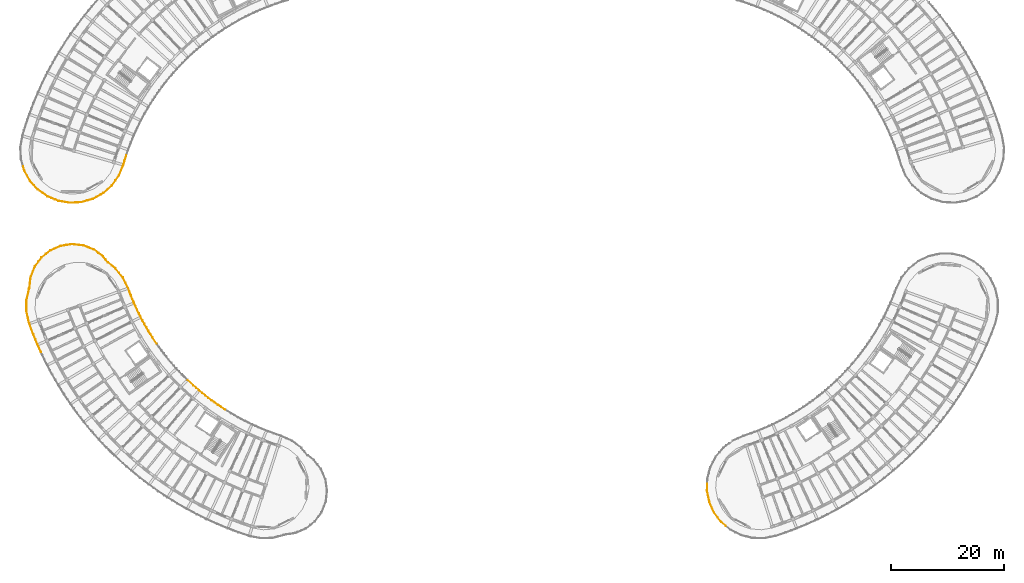
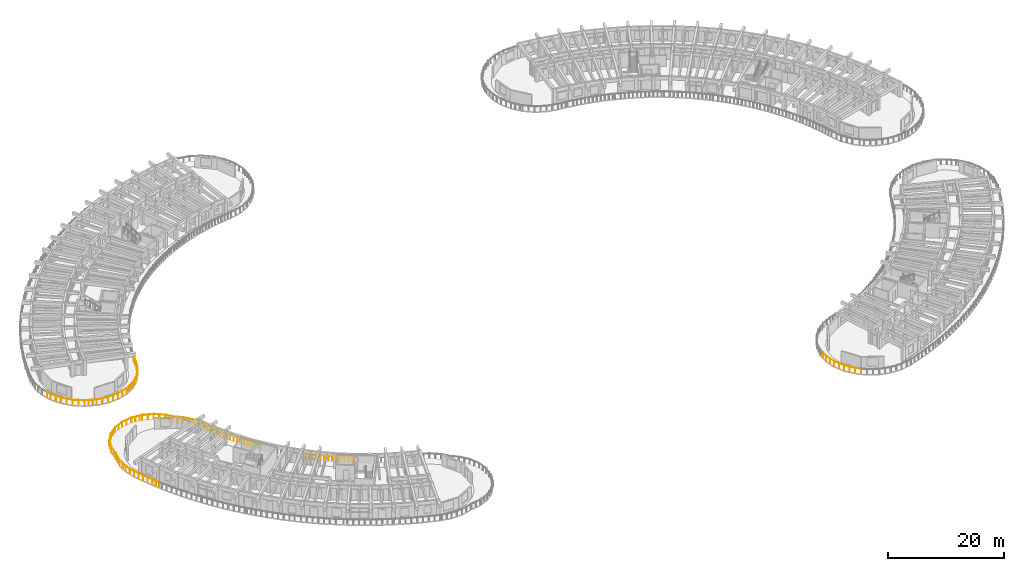
# One storey, part 64 of 78: 11 railings.
"""IFC4 building model written with IfcOpenShell, lengths in metres."""

from ifc_helpers import new_model, si_unit, direction, frame, origin, origin_2d, place, context, subcontext, project, spatial, circle, extrude, material, type_object, element, save


model = new_model("IFC4")

# Units and contexts
model_context = context("Model", 3, precision=1e-05, world=origin(), true_north=direction((0.0, 1.0)))
body_context = subcontext(model_context, "Body", "Model", "MODEL_VIEW")
ifc_project = project(units=[si_unit("LENGTHUNIT", "METRE"), si_unit("AREAUNIT", "SQUARE_METRE"), si_unit("VOLUMEUNIT", "CUBIC_METRE"), si_unit("PLANEANGLEUNIT", "RADIAN"), si_unit("MASSUNIT", "GRAM", prefix="KILO")], contexts=[model_context])

# Site, building, storey
site_placement = place(None, origin())
site = spatial("IfcSite", under=ifc_project, at=site_placement, CompositionType="ELEMENT")
building_placement = place(site_placement, origin())
building = spatial("IfcBuilding", under=site, at=building_placement, Name="Tanwirah Colonnade Gardens", CompositionType="ELEMENT")
storey_placement = place(building_placement, frame((0.0, 0.0, 22.280029296875)))
storey = spatial("IfcBuildingStorey", under=building, at=storey_placement, Name="L06", CompositionType="ELEMENT", Elevation=22.280029296875)

# Railings
ifc_material = material(Name="Precast concrete C40/50", Category="concrete")
railing_type_1 = type_object("IfcRailingType", Name="BAL-EXT110", PredefinedType="BALUSTRADE", material=ifc_material)
railing_1_placement = place(storey_placement, frame((21.24755859375, 54.628173828125, 0.0)))
element("IfcRailing", 1, at=railing_1_placement, inside=storey, type_object=railing_type_1, Name="Block C L06 Balcony Ribbon Balustrade 1", PredefinedType="BALUSTRADE", context=body_context, shape_type="SweptSolid", body=[
    extrude(circle(Radius=0.02392578125, at=origin_2d()), frame((0.024658203125, -0.019287109375, 1.076171875), z_axis=(0.786881919945, -0.617103592652, 0.0), x_axis=(0.617103592652, 0.786881919945, 0.0)), (0.0, 0.0, 1.0), 1.650146484375),
    extrude(circle(Radius=0.02392578125, at=origin_2d()), frame((1.367431640625, -1.0810546875, 1.076171875), z_axis=(0.629803866287, -0.776754201798, 0.0), x_axis=(0.776754201798, 0.629803866287, 0.0)), (0.0, 0.0, 1.0), 2.024169921875),
    extrude(circle(Radius=0.02392578125, at=origin_2d()), frame((2.675537109375, -2.705810546875, 1.076171875), z_axis=(0.441228765944, -0.897394660171, 0.0), x_axis=(0.897394660171, 0.441228765944, 0.0)), (0.0, 0.0, 1.0), 2.029541015625),
    extrude(circle(Radius=0.02392578125, at=origin_2d()), frame((3.595947265625, -4.58447265625, 1.076171875), z_axis=(0.353181976467, -0.93555464378, 0.0), x_axis=(0.93555464378, 0.353181976467, 0.0)), (0.0, 0.0, 1.0), 1.32763671875),
    extrude(circle(Radius=0.02392578125, at=origin_2d()), frame((4.0888671875, -5.886962890625, 1.076171875), z_axis=(0.383716976945, -0.923450746713, 0.0), x_axis=(0.923450746713, 0.383716976945, 0.0)), (0.0, 0.0, 1.0), 1.1533203125),
    extrude(circle(Radius=0.02099609375, at=origin_2d()), origin(), (0.0, 0.0, 1.0), 1.049072265625),
    extrude(circle(Radius=0.02099609375, at=origin_2d()), frame((0.673828125, -0.5283203125, 0.0)), (0.0, 0.0, 1.0), 1.049072265625),
    extrude(circle(Radius=0.02099609375, at=origin_2d()), frame((1.34765625, -1.056884765625, 0.0)), (0.0, 0.0, 1.0), 1.049072265625),
    extrude(circle(Radius=0.02099609375, at=origin_2d()), frame((2.0048828125, -1.8671875, 0.0)), (0.0, 0.0, 1.0), 1.049072265625),
    extrude(circle(Radius=0.02099609375, at=origin_2d()), frame((2.661865234375, -2.677734375, 0.0)), (0.0, 0.0, 1.0), 1.049072265625),
    extrude(circle(Radius=0.02099609375, at=origin_2d()), frame((3.12353515625, -3.616455078125, 0.0)), (0.0, 0.0, 1.0), 1.049072265625),
    extrude(circle(Radius=0.02099609375, at=origin_2d()), frame((3.5849609375, -4.55517578125, 0.0)), (0.0, 0.0, 1.0), 1.049072265625),
    extrude(circle(Radius=0.02099609375, at=origin_2d()), frame((3.83056640625, -5.20556640625, 0.0)), (0.0, 0.0, 1.0), 1.049072265625),
    extrude(circle(Radius=0.02099609375, at=origin_2d()), frame((4.075927734375, -5.855712890625, 0.0)), (0.0, 0.0, 1.0), 1.049072265625),
    extrude(circle(Radius=0.02099609375, at=origin_2d()), frame((4.54345703125, -6.98095703125, 0.0)), (0.0, 0.0, 1.0), 1.049072265625),
])
railing_2_placement = place(storey_placement, frame((25.791015625, 47.647216796875, 0.0)))
element("IfcRailing", 2, at=railing_2_placement, inside=storey, type_object=railing_type_1, Name="Block C L06 Balcony Ribbon Balustrade 2", PredefinedType="BALUSTRADE", context=body_context, shape_type="SweptSolid", body=[
    extrude(circle(Radius=0.02392578125, at=origin_2d()), frame((0.011962890625, -0.02880859375, 1.076171875), z_axis=(0.383642282702, -0.923481780504, 0.0), x_axis=(0.923481780504, 0.383642282702, 0.0)), (0.0, 0.0, 1.0), 0.11572265625),
    extrude(circle(Radius=0.02392578125, at=origin_2d()), frame((0.082275390625, -0.195556640625, 1.076171875), z_axis=(0.413697373423, -0.91041445684, 0.0), x_axis=(0.91041445684, 0.413697373423, 0.0)), (0.0, 0.0, 1.0), 1.331298828125),
    extrude(circle(Radius=0.02392578125, at=origin_2d()), frame((0.6611328125, -1.466552734375, 1.076171875), z_axis=(0.443286097627, -0.896380184771, 0.0), x_axis=(0.896380184771, 0.443286097627, 0.0)), (0.0, 0.0, 1.0), 1.33154296875),
    extrude(circle(Radius=0.02392578125, at=origin_2d()), frame((1.281005859375, -2.718017578125, 1.076171875), z_axis=(0.472323466806, -0.881425290484, 0.0), x_axis=(0.881425290484, 0.472323466806, 0.0)), (0.0, 0.0, 1.0), 1.33154296875),
    extrude(circle(Radius=0.02392578125, at=origin_2d()), frame((1.941650390625, -3.948486328125, 1.076171875), z_axis=(0.501015561301, -0.865438274711, 0.0), x_axis=(0.865438274711, 0.501015561301, 0.0)), (0.0, 0.0, 1.0), 1.33154296875),
    extrude(circle(Radius=0.02392578125, at=origin_2d()), frame((2.642333984375, -5.15673828125, 1.076171875), z_axis=(0.529022666758, -0.848607693847, 0.0), x_axis=(0.848607693847, 0.529022666758, 0.0)), (0.0, 0.0, 1.0), 1.33154296875),
    extrude(circle(Radius=0.02392578125, at=origin_2d()), frame((3.3818359375, -6.34130859375, 1.076171875), z_axis=(0.556512446997, -0.830839272265, 0.0), x_axis=(0.830839272265, 0.556512446997, 0.0)), (0.0, 0.0, 1.0), 1.273193359375),
    extrude(circle(Radius=0.02099609375, at=origin_2d()), origin(), (0.0, 0.0, 1.0), 1.049072265625),
    extrude(circle(Radius=0.02099609375, at=origin_2d()), frame((0.068359375, -0.16455078125, 0.0)), (0.0, 0.0, 1.0), 1.049072265625),
    extrude(circle(Radius=0.02099609375, at=origin_2d()), frame((0.357666015625, -0.801513671875, 0.0)), (0.0, 0.0, 1.0), 1.049072265625),
    extrude(circle(Radius=0.02099609375, at=origin_2d()), frame((0.64599609375, -1.43603515625, 0.0)), (0.0, 0.0, 1.0), 1.049072265625),
    extrude(circle(Radius=0.02099609375, at=origin_2d()), frame((0.9560546875, -2.063232421875, 0.0)), (0.0, 0.0, 1.0), 1.049072265625),
    extrude(circle(Radius=0.02099609375, at=origin_2d()), frame((1.26513671875, -2.68798828125, 0.0)), (0.0, 0.0, 1.0), 1.049072265625),
    extrude(circle(Radius=0.02099609375, at=origin_2d()), frame((1.595703125, -3.3046875, 0.0)), (0.0, 0.0, 1.0), 1.049072265625),
    extrude(circle(Radius=0.02099609375, at=origin_2d()), frame((1.9248046875, -3.919189453125, 0.0)), (0.0, 0.0, 1.0), 1.049072265625),
    extrude(circle(Radius=0.02099609375, at=origin_2d()), frame((2.275390625, -4.524658203125, 0.0)), (0.0, 0.0, 1.0), 1.049072265625),
    extrude(circle(Radius=0.02099609375, at=origin_2d()), frame((2.62451171875, -5.1279296875, 0.0)), (0.0, 0.0, 1.0), 1.049072265625),
    extrude(circle(Radius=0.02099609375, at=origin_2d()), frame((2.99462890625, -5.7216796875, 0.0)), (0.0, 0.0, 1.0), 1.049072265625),
    extrude(circle(Radius=0.02099609375, at=origin_2d()), frame((3.36328125, -6.313232421875, 0.0)), (0.0, 0.0, 1.0), 1.049072265625),
    extrude(circle(Radius=0.02099609375, at=origin_2d()), frame((4.10791015625, -7.42529296875, 0.0)), (0.0, 0.0, 1.0), 1.049072265625),
])
railing_3_placement = place(storey_placement, frame((35.396240234375, 33.757080078125, 0.0)))
element("IfcRailing", 3, at=railing_3_placement, inside=storey, type_object=railing_type_1, Name="Block C L06 Balcony Ribbon Balustrade 4", PredefinedType="BALUSTRADE", context=body_context, shape_type="SweptSolid", body=[
    extrude(circle(Radius=0.02392578125, at=origin_2d()), frame((0.02294921875, -0.021240234375, 1.076171875), z_axis=(0.730665802401, -0.682735296585, 0.0), x_axis=(0.682735296585, 0.730665802401, 0.0)), (0.0, 0.0, 1.0), 1.27197265625),
    extrude(circle(Radius=0.02392578125, at=origin_2d()), frame((1.00048828125, -0.93359375, 1.076171875), z_axis=(0.752565845379, -0.658517006894, 0.0), x_axis=(0.658517006894, 0.752565845379, 0.0)), (0.0, 0.0, 1.0), 1.33154296875),
    extrude(circle(Radius=0.02392578125, at=origin_2d()), frame((2.05224609375, -1.8525390625, 1.076171875), z_axis=(0.773762182392, -0.633476191424, 0.0), x_axis=(0.633476191424, 0.773762182392, 0.0)), (0.0, 0.0, 1.0), 1.33154296875),
    extrude(circle(Radius=0.02392578125, at=origin_2d()), frame((3.1337890625, -2.736572265625, 1.076171875), z_axis=(0.793969886309, -0.607957087001, 0.0), x_axis=(0.607957087001, 0.793969886309, 0.0)), (0.0, 0.0, 1.0), 1.331298828125),
    extrude(circle(Radius=0.02392578125, at=origin_2d()), frame((4.2431640625, -3.58447265625, 1.076171875), z_axis=(0.813473063063, -0.581602592558, 0.0), x_axis=(0.581602592558, 0.813473063063, 0.0)), (0.0, 0.0, 1.0), 1.33154296875),
    extrude(circle(Radius=0.02392578125, at=origin_2d()), frame((5.380126953125, -4.39599609375, 1.076171875), z_axis=(0.832077237554, -0.554659779274, 0.0), x_axis=(0.554659779274, 0.832077237554, 0.0)), (0.0, 0.0, 1.0), 1.33154296875),
    extrude(circle(Radius=0.02392578125, at=origin_2d()), frame((6.542724609375, -5.169921875, 1.076171875), z_axis=(0.84959815762, -0.52743053625, 0.0), x_axis=(0.52743053625, 0.84959815762, 0.0)), (0.0, 0.0, 1.0), 0.1171875),
    extrude(circle(Radius=0.02099609375, at=origin_2d()), origin(), (0.0, 0.0, 1.0), 1.049072265625),
    extrude(circle(Radius=0.02099609375, at=origin_2d()), frame((0.97509765625, -0.9111328125, 0.0)), (0.0, 0.0, 1.0), 1.049072265625),
    extrude(circle(Radius=0.02099609375, at=origin_2d()), frame((1.50146484375, -1.3720703125, 0.0)), (0.0, 0.0, 1.0), 1.049072265625),
    extrude(circle(Radius=0.02099609375, at=origin_2d()), frame((2.026123046875, -1.8310546875, 0.0)), (0.0, 0.0, 1.0), 1.049072265625),
    extrude(circle(Radius=0.02099609375, at=origin_2d()), frame((2.5673828125, -2.2744140625, 0.0)), (0.0, 0.0, 1.0), 1.049072265625),
    extrude(circle(Radius=0.02099609375, at=origin_2d()), frame((3.106689453125, -2.7158203125, 0.0)), (0.0, 0.0, 1.0), 1.049072265625),
    extrude(circle(Radius=0.02099609375, at=origin_2d()), frame((3.662109375, -3.14111328125, 0.0)), (0.0, 0.0, 1.0), 1.049072265625),
    extrude(circle(Radius=0.02099609375, at=origin_2d()), frame((4.215576171875, -3.56494140625, 0.0)), (0.0, 0.0, 1.0), 1.049072265625),
    extrude(circle(Radius=0.02099609375, at=origin_2d()), frame((4.78466796875, -3.9716796875, 0.0)), (0.0, 0.0, 1.0), 1.049072265625),
    extrude(circle(Radius=0.02099609375, at=origin_2d()), frame((5.351806640625, -4.377197265625, 0.0)), (0.0, 0.0, 1.0), 1.049072265625),
    extrude(circle(Radius=0.02099609375, at=origin_2d()), frame((5.93408203125, -4.76513671875, 0.0)), (0.0, 0.0, 1.0), 1.049072265625),
    extrude(circle(Radius=0.02099609375, at=origin_2d()), frame((6.513916015625, -5.15185546875, 0.0)), (0.0, 0.0, 1.0), 1.049072265625),
    extrude(circle(Radius=0.02099609375, at=origin_2d()), frame((6.668701171875, -5.248046875, 0.0)), (0.0, 0.0, 1.0), 1.049072265625),
])
railing_4_placement = place(storey_placement, frame((9.36767578125, 38.724609375, 0.0)))
element("IfcRailing", 4, at=railing_4_placement, inside=storey, type_object=railing_type_1, Name="Block C L06 Balcony Ribbon Balustrade 16", PredefinedType="BALUSTRADE", context=body_context, shape_type="SweptSolid", body=[
    extrude(circle(Radius=0.02392578125, at=origin_2d()), frame((-0.012939453125, 0.028564453125, 1.076171875), z_axis=(-0.413739713749, 0.910395215973, 0.0), x_axis=(-0.910395215973, -0.413739713749, 0.0)), (0.0, 0.0, 1.0), 1.39208984375),
    extrude(circle(Radius=0.02392578125, at=origin_2d()), frame((-0.61376953125, 1.35302734375, 1.076171875), z_axis=(-0.383777149523, 0.923425741196, 0.0), x_axis=(-0.923425741196, -0.383777149523, 0.0)), (0.0, 0.0, 1.0), 1.94384765625),
    extrude(circle(Radius=0.02392578125, at=origin_2d()), frame((-1.3828125, 3.206298828125, 1.076171875), z_axis=(-0.353246485445, 0.935530288404, 0.0), x_axis=(-0.935530288404, -0.353246485445, 0.0)), (0.0, 0.0, 1.0), 1.9404296875),
    extrude(circle(Radius=0.02392578125, at=origin_2d()), frame((-2.086669921875, 5.081298828125, 1.076171875), z_axis=(-0.230399457167, 0.973096136123, 0.0), x_axis=(-0.973096136123, -0.230399457167, 0.0)), (0.0, 0.0, 1.0), 2.028076171875),
    extrude(circle(Radius=0.02392578125, at=origin_2d()), frame((-2.561279296875, 7.116455078125, 1.076171875), z_axis=(-0.00800387478, 0.999967968481, 0.0), x_axis=(-0.999967968481, -0.00800387478, 0.0)), (0.0, 0.0, 1.0), 0.883056640625),
    extrude(circle(Radius=0.02099609375, at=origin_2d()), origin(), (0.0, 0.0, 1.0), 1.049072265625),
    extrude(circle(Radius=0.02099609375, at=origin_2d()), frame((-0.30078125, 0.662109375, 0.0)), (0.0, 0.0, 1.0), 1.049072265625),
    extrude(circle(Radius=0.02099609375, at=origin_2d()), frame((-0.601806640625, 1.32421875, 0.0)), (0.0, 0.0, 1.0), 1.049072265625),
    extrude(circle(Radius=0.02099609375, at=origin_2d()), frame((-0.98681640625, 2.25048828125, 0.0)), (0.0, 0.0, 1.0), 1.049072265625),
    extrude(circle(Radius=0.02099609375, at=origin_2d()), frame((-1.371826171875, 3.177001953125, 0.0)), (0.0, 0.0, 1.0), 1.049072265625),
    extrude(circle(Radius=0.02099609375, at=origin_2d()), frame((-1.7255859375, 4.11376953125, 0.0)), (0.0, 0.0, 1.0), 1.049072265625),
    extrude(circle(Radius=0.02099609375, at=origin_2d()), frame((-2.079345703125, 5.05078125, 0.0)), (0.0, 0.0, 1.0), 1.049072265625),
    extrude(circle(Radius=0.02099609375, at=origin_2d()), frame((-2.3203125, 6.06787109375, 0.0)), (0.0, 0.0, 1.0), 1.049072265625),
    extrude(circle(Radius=0.02099609375, at=origin_2d()), frame((-2.56103515625, 7.085205078125, 0.0)), (0.0, 0.0, 1.0), 1.049072265625),
    extrude(circle(Radius=0.02099609375, at=origin_2d()), frame((-2.568603515625, 8.03076171875, 0.0)), (0.0, 0.0, 1.0), 1.049072265625),
])
railing_5_placement = place(storey_placement, frame((6.799072265625, 46.75537109375, 0.0)))
element("IfcRailing", 5, at=railing_5_placement, inside=storey, type_object=railing_type_1, Name="Block C L06 Balcony Ribbon Balustrade 17", PredefinedType="BALUSTRADE", context=body_context, shape_type="SweptSolid", body=[
    extrude(circle(Radius=0.02392578125, at=origin_2d()), frame((-0.000244140625, 0.03125, 1.076171875), z_axis=(-0.00812807374, 0.999966966663, 0.0), x_axis=(-0.999966966663, -0.00812807374, 0.0)), (0.0, 0.0, 1.0), 1.078857421875),
    extrude(circle(Radius=0.02392578125, at=origin_2d()), frame((-0.002685546875, 1.171875, 1.076171875), z_axis=(0.214663162135, 0.976688142051, 0.0), x_axis=(-0.976688142051, 0.214663162135, 0.0)), (0.0, 0.0, 1.0), 2.0244140625),
    extrude(circle(Radius=0.02392578125, at=origin_2d()), frame((0.4521484375, 3.2080078125, 1.076171875), z_axis=(0.425885060261, 0.904777273945, 0.0), x_axis=(-0.904777273945, 0.425885060261, 0.0)), (0.0, 0.0, 1.0), 0.071044921875),
    extrude(circle(Radius=0.02392578125, at=origin_2d()), frame((0.50634765625, 3.3564453125, 1.076171875), z_axis=(0.113238424528, 0.993567843285, 0.0), x_axis=(-0.993567843285, 0.113238424528, 0.0)), (0.0, 0.0, 1.0), 1.90380859375),
    extrude(circle(Radius=0.02392578125, at=origin_2d()), frame((0.73681640625, 5.30810546875, 1.076171875), z_axis=(0.366518161649, 0.93041089696, 0.0), x_axis=(-0.93041089696, 0.366518161649, 0.0)), (0.0, 0.0, 1.0), 1.952392578125),
    extrude(circle(Radius=0.02392578125, at=origin_2d()), frame((1.482421875, 7.178955078125, 1.076171875), z_axis=(0.594840215113, 0.803843964016, 0.0), x_axis=(-0.803843964016, 0.594840215113, 0.0)), (0.0, 0.0, 1.0), 1.068115234375),
    extrude(circle(Radius=0.02099609375, at=origin_2d()), origin(), (0.0, 0.0, 1.0), 1.049072265625),
    extrude(circle(Radius=0.02099609375, at=origin_2d()), frame((-0.00927734375, 1.141357421875, 0.0)), (0.0, 0.0, 1.0), 1.049072265625),
    extrude(circle(Radius=0.02099609375, at=origin_2d()), frame((0.21484375, 2.16064453125, 0.0)), (0.0, 0.0, 1.0), 1.049072265625),
    extrude(circle(Radius=0.02099609375, at=origin_2d()), frame((0.438720703125, 3.1796875, 0.0)), (0.0, 0.0, 1.0), 1.049072265625),
    extrude(circle(Radius=0.02099609375, at=origin_2d()), frame((0.49560546875, 3.300537109375, 0.0)), (0.0, 0.0, 1.0), 1.049072265625),
    extrude(circle(Radius=0.02099609375, at=origin_2d()), frame((0.614013671875, 4.30224609375, 0.0)), (0.0, 0.0, 1.0), 1.049072265625),
    extrude(circle(Radius=0.02099609375, at=origin_2d()), frame((0.725341796875, 5.279052734375, 0.0)), (0.0, 0.0, 1.0), 1.049072265625),
    extrude(circle(Radius=0.02099609375, at=origin_2d()), frame((1.0947265625, 6.21630859375, 0.0)), (0.0, 0.0, 1.0), 1.049072265625),
    extrude(circle(Radius=0.02099609375, at=origin_2d()), frame((1.4638671875, 7.15380859375, 0.0)), (0.0, 0.0, 1.0), 1.049072265625),
    extrude(circle(Radius=0.02099609375, at=origin_2d()), frame((2.136474609375, 8.062744140625, 0.0)), (0.0, 0.0, 1.0), 1.049072265625),
])
railing_6_placement = place(storey_placement, frame((8.935546875, 54.818115234375, 0.0)))
element("IfcRailing", 6, at=railing_6_placement, inside=storey, type_object=railing_type_1, Name="Block C L06 Balcony Ribbon Balustrade 18", PredefinedType="BALUSTRADE", context=body_context, shape_type="SweptSolid", body=[
    extrude(circle(Radius=0.02392578125, at=origin_2d()), frame((0.0185546875, 0.025146484375, 1.076171875), z_axis=(0.594864409115, 0.80382606002, 0.0), x_axis=(-0.80382606002, 0.594864409115, 0.0)), (0.0, 0.0, 1.0), 0.822021484375),
    extrude(circle(Radius=0.02392578125, at=origin_2d()), frame((0.550537109375, 0.73046875, 1.076171875), z_axis=(0.782532634518, 0.622609569405, 0.0), x_axis=(-0.622609569405, 0.782532634518, 0.0)), (0.0, 0.0, 1.0), 1.95263671875),
    extrude(circle(Radius=0.02392578125, at=origin_2d()), frame((2.131591796875, 1.97802734375, 1.076171875), z_axis=(0.917083537918, 0.398695102152, 0.0), x_axis=(-0.398695102152, 0.917083537918, 0.0)), (0.0, 0.0, 1.0), 1.95263671875),
    extrude(circle(Radius=0.02392578125, at=origin_2d()), frame((3.982177734375, 2.773681640625, 1.076171875), z_axis=(0.989015305864, 0.147813141388, 0.0), x_axis=(-0.147813141388, 0.989015305864, 0.0)), (0.0, 0.0, 1.0), 1.95263671875),
    extrude(circle(Radius=0.02392578125, at=origin_2d()), frame((5.97509765625, 3.0634765625, 1.076171875), z_axis=(0.993572704497, -0.113195763517, 0.0), x_axis=(0.113195763517, 0.993572704497, 0.0)), (0.0, 0.0, 1.0), 1.507568359375),
    extrude(circle(Radius=0.02099609375, at=origin_2d()), origin(), (0.0, 0.0, 1.0), 1.049072265625),
    extrude(circle(Radius=0.02099609375, at=origin_2d()), frame((0.526123046875, 0.7109375, 0.0)), (0.0, 0.0, 1.0), 1.049072265625),
    extrude(circle(Radius=0.02099609375, at=origin_2d()), frame((1.314453125, 1.33837890625, 0.0)), (0.0, 0.0, 1.0), 1.049072265625),
    extrude(circle(Radius=0.02099609375, at=origin_2d()), frame((2.10302734375, 1.965576171875, 0.0)), (0.0, 0.0, 1.0), 1.049072265625),
    extrude(circle(Radius=0.02099609375, at=origin_2d()), frame((3.027099609375, 2.3671875, 0.0)), (0.0, 0.0, 1.0), 1.049072265625),
    extrude(circle(Radius=0.02099609375, at=origin_2d()), frame((3.951171875, 2.76904296875, 0.0)), (0.0, 0.0, 1.0), 1.049072265625),
    extrude(circle(Radius=0.02099609375, at=origin_2d()), frame((4.94775390625, 2.91796875, 0.0)), (0.0, 0.0, 1.0), 1.049072265625),
    extrude(circle(Radius=0.02099609375, at=origin_2d()), frame((5.944091796875, 3.06689453125, 0.0)), (0.0, 0.0, 1.0), 1.049072265625),
    extrude(circle(Radius=0.02099609375, at=origin_2d()), frame((6.72412109375, 2.97802734375, 0.0)), (0.0, 0.0, 1.0), 1.049072265625),
    extrude(circle(Radius=0.02099609375, at=origin_2d()), frame((7.504150390625, 2.88916015625, 0.0)), (0.0, 0.0, 1.0), 1.049072265625),
])
railing_7_placement = place(storey_placement, frame((16.439697265625, 57.707275390625, 0.0)))
element("IfcRailing", 7, at=railing_7_placement, inside=storey, type_object=railing_type_1, Name="Block C L06 Balcony Ribbon Balustrade 19", PredefinedType="BALUSTRADE", context=body_context, shape_type="SweptSolid", body=[
    extrude(circle(Radius=0.02392578125, at=origin_2d()), frame((0.031005859375, -0.00341796875, 1.076171875), z_axis=(0.993592658639, -0.113020479116, 0.0), x_axis=(0.113020479116, 0.993592658639, 0.0)), (0.0, 0.0, 1.0), 0.382568359375),
    extrude(circle(Radius=0.02392578125, at=origin_2d()), frame((0.47119140625, -0.061767578125, 1.076171875), z_axis=(0.930385857121, -0.366581719225, 0.0), x_axis=(0.366581719225, 0.930385857121, 0.0)), (0.0, 0.0, 1.0), 1.952880859375),
    extrude(circle(Radius=0.02392578125, at=origin_2d()), frame((2.34228515625, -0.8076171875, 1.076171875), z_axis=(0.803894036399, -0.594772543283, 0.0), x_axis=(0.594772543283, 0.803894036399, 0.0)), (0.0, 0.0, 1.0), 1.952392578125),
    extrude(circle(Radius=0.02392578125, at=origin_2d()), frame((3.95654296875, -2.011962890625, 1.076171875), z_axis=(0.622466836629, -0.782646176313, 0.0), x_axis=(0.782646176313, 0.622466836629, 0.0)), (0.0, 0.0, 1.0), 1.3154296875),
    extrude(circle(Radius=0.02099609375, at=origin_2d()), origin(), (0.0, 0.0, 1.0), 1.049072265625),
    extrude(circle(Radius=0.02099609375, at=origin_2d()), frame((0.442138671875, -0.05029296875, 0.0)), (0.0, 0.0, 1.0), 1.049072265625),
    extrude(circle(Radius=0.02099609375, at=origin_2d()), frame((1.379638671875, -0.419677734375, 0.0)), (0.0, 0.0, 1.0), 1.049072265625),
    extrude(circle(Radius=0.02099609375, at=origin_2d()), frame((2.317138671875, -0.7890625, 0.0)), (0.0, 0.0, 1.0), 1.049072265625),
    extrude(circle(Radius=0.02099609375, at=origin_2d()), frame((3.126953125, -1.38818359375, 0.0)), (0.0, 0.0, 1.0), 1.049072265625),
    extrude(circle(Radius=0.02099609375, at=origin_2d()), frame((3.93701171875, -1.987548828125, 0.0)), (0.0, 0.0, 1.0), 1.049072265625),
    extrude(circle(Radius=0.02099609375, at=origin_2d()), frame((4.36572265625, -2.52685546875, 0.0)), (0.0, 0.0, 1.0), 1.049072265625),
    extrude(circle(Radius=0.02099609375, at=origin_2d()), frame((4.794677734375, -3.06591796875, 0.0)), (0.0, 0.0, 1.0), 1.049072265625),
])
railing_8_placement = place(storey_placement, frame((130.875732421875, 7.901611328125, 0.0)))
element("IfcRailing", 8, at=railing_8_placement, inside=storey, type_object=railing_type_1, Name="Block D L06 Balcony Ribbon Balustrade 17", PredefinedType="BALUSTRADE", context=body_context, shape_type="SweptSolid", body=[
    extrude(circle(Radius=0.02392578125, at=origin_2d()), frame((-0.02392578125, 0.02001953125, 1.076171875), z_axis=(-0.764806577585, 0.644259962191, 0.0), x_axis=(-0.644259962191, -0.764806577585, 0.0)), (0.0, 0.0, 1.0), 0.96630859375),
    extrude(circle(Radius=0.02392578125, at=origin_2d()), frame((-0.8056640625, 0.687744140625, 1.076171875), z_axis=(-0.602318313263, 0.798256004993, 0.0), x_axis=(-0.798256004993, -0.602318313263, 0.0)), (0.0, 0.0, 1.0), 2.024658203125),
    extrude(circle(Radius=0.02392578125, at=origin_2d()), frame((-2.056640625, 2.357421875, 1.076171875), z_axis=(-0.409576493936, 0.912275778268, 0.0), x_axis=(-0.912275778268, -0.409576493936, 0.0)), (0.0, 0.0, 1.0), 2.0244140625),
    extrude(circle(Radius=0.02392578125, at=origin_2d()), frame((-2.90478515625, 4.263427734375, 1.076171875), z_axis=(-0.196318623348, 0.980540156305, 0.0), x_axis=(-0.980540156305, -0.196318623348, 0.0)), (0.0, 0.0, 1.0), 2.024169921875),
    extrude(circle(Radius=0.02392578125, at=origin_2d()), frame((-3.3076171875, 6.31005859375, 1.076171875), z_axis=(0.026826499985, 0.999640104687, 0.0), x_axis=(-0.999640104687, 0.026826499985, 0.0)), (0.0, 0.0, 1.0), 1.14794921875),
    extrude(circle(Radius=0.02099609375, at=origin_2d()), origin(), (0.0, 0.0, 1.0), 1.049072265625),
    extrude(circle(Radius=0.02099609375, at=origin_2d()), frame((-0.786865234375, 0.662841796875, 0.0)), (0.0, 0.0, 1.0), 1.049072265625),
    extrude(circle(Radius=0.02099609375, at=origin_2d()), frame((-1.41552734375, 1.495849609375, 0.0)), (0.0, 0.0, 1.0), 1.049072265625),
    extrude(circle(Radius=0.02099609375, at=origin_2d()), frame((-2.0439453125, 2.328857421875, 0.0)), (0.0, 0.0, 1.0), 1.049072265625),
    extrude(circle(Radius=0.02099609375, at=origin_2d()), frame((-2.47119140625, 3.28076171875, 0.0)), (0.0, 0.0, 1.0), 1.049072265625),
    extrude(circle(Radius=0.02099609375, at=origin_2d()), frame((-2.898681640625, 4.232666015625, 0.0)), (0.0, 0.0, 1.0), 1.049072265625),
    extrude(circle(Radius=0.02099609375, at=origin_2d()), frame((-3.103515625, 5.255859375, 0.0)), (0.0, 0.0, 1.0), 1.049072265625),
    extrude(circle(Radius=0.02099609375, at=origin_2d()), frame((-3.308349609375, 6.27880859375, 0.0)), (0.0, 0.0, 1.0), 1.049072265625),
    extrude(circle(Radius=0.02099609375, at=origin_2d()), frame((-3.27587890625, 7.48876953125, 0.0)), (0.0, 0.0, 1.0), 1.049072265625),
])
railing_type_2 = type_object("IfcRailingType", Name="BAL-EXT112", PredefinedType="BALUSTRADE", material=ifc_material)
railing_9_placement = place(storey_placement, frame((24.490234375, 73.623779296875, 0.0)))
element("IfcRailing", 9, at=railing_9_placement, inside=storey, type_object=railing_type_2, Name="Block A L06 Balcony Ribbon Balustrade 7", PredefinedType="BALUSTRADE", context=body_context, shape_type="SweptSolid", body=[
    extrude(circle(Radius=0.02392578125, at=origin_2d()), frame((-0.010009765625, -0.029541015625, 1.09619140625), z_axis=(-0.322432998428, -0.946592288963, 0.0), x_axis=(0.946592288963, -0.322432998428, 0.0)), (0.0, 0.0, 1.0), 0.267578125),
    extrude(circle(Radius=0.02392578125, at=origin_2d()), frame((-0.1162109375, -0.3447265625, 1.09619140625), z_axis=(-0.29148764702, -0.956574592823, 0.0), x_axis=(0.956574592823, -0.29148764702, 0.0)), (0.0, 0.0, 1.0), 1.337890625),
    extrude(circle(Radius=0.02392578125, at=origin_2d()), frame((-0.52734375, -1.683349609375, 1.09619140625), z_axis=(-0.381489237895, -0.92437328032, 0.0), x_axis=(0.92437328032, -0.381489237895, 0.0)), (0.0, 0.0, 1.0), 2.029541015625),
    extrude(circle(Radius=0.02392578125, at=origin_2d()), frame((-1.33154296875, -3.614013671875, 1.09619140625), z_axis=(-0.577647272924, -0.816286486525, 0.0), x_axis=(0.816286486525, -0.577647272924, 0.0)), (0.0, 0.0, 1.0), 2.0244140625),
    extrude(circle(Radius=0.02392578125, at=origin_2d()), frame((-2.542236328125, -5.312744140625, 1.09619140625), z_axis=(-0.744822012119, -0.667263194146, 0.0), x_axis=(0.667263194146, -0.744822012119, 0.0)), (0.0, 0.0, 1.0), 2.0244140625),
    extrude(circle(Radius=0.02392578125, at=origin_2d()), frame((-4.100830078125, -6.69970703125, 1.09619140625), z_axis=(-0.874616555828, -0.48481530532, 0.0), x_axis=(0.48481530532, -0.874616555828, 0.0)), (0.0, 0.0, 1.0), 0.4384765625),
    extrude(circle(Radius=0.02099609375, at=origin_2d()), origin(), (0.0, 0.0, 1.0), 1.069091796875),
    extrude(circle(Radius=0.02099609375, at=origin_2d()), frame((-0.1064453125, -0.3125, 0.0)), (0.0, 0.0, 1.0), 1.069091796875),
    extrude(circle(Radius=0.02099609375, at=origin_2d()), frame((-0.311279296875, -0.98486328125, 0.0)), (0.0, 0.0, 1.0), 1.069091796875),
    extrude(circle(Radius=0.02099609375, at=origin_2d()), frame((-0.515380859375, -1.654541015625, 0.0)), (0.0, 0.0, 1.0), 1.069091796875),
    extrude(circle(Radius=0.02099609375, at=origin_2d()), frame((-0.91455078125, -2.62158203125, 0.0)), (0.0, 0.0, 1.0), 1.069091796875),
    extrude(circle(Radius=0.02099609375, at=origin_2d()), frame((-1.3134765625, -3.58837890625, 0.0)), (0.0, 0.0, 1.0), 1.069091796875),
    extrude(circle(Radius=0.02099609375, at=origin_2d()), frame((-1.916259765625, -4.440185546875, 0.0)), (0.0, 0.0, 1.0), 1.069091796875),
    extrude(circle(Radius=0.02099609375, at=origin_2d()), frame((-2.51904296875, -5.2919921875, 0.0)), (0.0, 0.0, 1.0), 1.069091796875),
    extrude(circle(Radius=0.02099609375, at=origin_2d()), frame((-3.29638671875, -5.98828125, 0.0)), (0.0, 0.0, 1.0), 1.069091796875),
    extrude(circle(Radius=0.02099609375, at=origin_2d()), frame((-4.073486328125, -6.6845703125, 0.0)), (0.0, 0.0, 1.0), 1.069091796875),
    extrude(circle(Radius=0.02099609375, at=origin_2d()), frame((-4.51171875, -6.927490234375, 0.0)), (0.0, 0.0, 1.0), 1.069091796875),
])
railing_10_placement = place(storey_placement, frame((19.978515625, 66.6962890625, 0.0)))
element("IfcRailing", 10, at=railing_10_placement, inside=storey, type_object=railing_type_2, Name="Block A L06 Balcony Ribbon Balustrade 8", PredefinedType="BALUSTRADE", context=body_context, shape_type="SweptSolid", body=[
    extrude(circle(Radius=0.02392578125, at=origin_2d()), frame((-0.02734375, -0.01513671875, 1.09619140625), z_axis=(-0.874621647365, -0.48480611997, 0.0), x_axis=(0.48480611997, -0.874621647365, 0.0)), (0.0, 0.0, 1.0), 1.523193359375),
    extrude(circle(Radius=0.02392578125, at=origin_2d()), frame((-1.4169921875, -0.777587890625, 1.09619140625), z_axis=(-0.960560153031, -0.278072279108, 0.0), x_axis=(0.278072279108, -0.960560153031, 0.0)), (0.0, 0.0, 1.0), 2.0244140625),
    extrude(circle(Radius=0.02392578125, at=origin_2d()), frame((-3.4228515625, -1.350830078125, 1.09619140625), z_axis=(-0.998362374442, -0.057206374631, 0.0), x_axis=(0.057206374631, -0.998362374442, 0.0)), (0.0, 0.0, 1.0), 2.0244140625),
    extrude(circle(Radius=0.02392578125, at=origin_2d()), frame((-5.505859375, -1.46337890625, 1.09619140625), z_axis=(-0.986085511051, 0.166238879013, 0.0), x_axis=(-0.166238879013, -0.986085511051, 0.0)), (0.0, 0.0, 1.0), 2.0244140625),
    extrude(circle(Radius=0.02392578125, at=origin_2d()), frame((-7.561767578125, -1.109619140625, 1.09619140625), z_axis=(-0.924376024919, 0.381482587487, 0.0), x_axis=(-0.381482587487, -0.924376024919, 0.0)), (0.0, 0.0, 1.0), 0.5908203125),
    extrude(circle(Radius=0.02099609375, at=origin_2d()), origin(), (0.0, 0.0, 1.0), 1.069091796875),
    extrude(circle(Radius=0.02099609375, at=origin_2d()), frame((-0.693359375, -0.38427734375, 0.0)), (0.0, 0.0, 1.0), 1.069091796875),
    extrude(circle(Radius=0.02099609375, at=origin_2d()), frame((-1.386962890625, -0.768798828125, 0.0)), (0.0, 0.0, 1.0), 1.069091796875),
    extrude(circle(Radius=0.02099609375, at=origin_2d()), frame((-2.38916015625, -1.05908203125, 0.0)), (0.0, 0.0, 1.0), 1.069091796875),
    extrude(circle(Radius=0.02099609375, at=origin_2d()), frame((-3.3916015625, -1.34912109375, 0.0)), (0.0, 0.0, 1.0), 1.069091796875),
    extrude(circle(Radius=0.02099609375, at=origin_2d()), frame((-4.433349609375, -1.40869140625, 0.0)), (0.0, 0.0, 1.0), 1.069091796875),
    extrude(circle(Radius=0.02099609375, at=origin_2d()), frame((-5.47509765625, -1.468505859375, 0.0)), (0.0, 0.0, 1.0), 1.069091796875),
    extrude(circle(Radius=0.02099609375, at=origin_2d()), frame((-6.50390625, -1.294921875, 0.0)), (0.0, 0.0, 1.0), 1.069091796875),
    extrude(circle(Radius=0.02099609375, at=origin_2d()), frame((-7.532958984375, -1.12158203125, 0.0)), (0.0, 0.0, 1.0), 1.069091796875),
    extrude(circle(Radius=0.02099609375, at=origin_2d()), frame((-8.136962890625, -0.872314453125, 0.0)), (0.0, 0.0, 1.0), 1.069091796875),
])
railing_11_placement = place(storey_placement, frame((11.841552734375, 65.823974609375, 0.0)))
element("IfcRailing", 11, at=railing_11_placement, inside=storey, type_object=railing_type_2, Name="Block A L06 Balcony Ribbon Balustrade 9", PredefinedType="BALUSTRADE", context=body_context, shape_type="SweptSolid", body=[
    extrude(circle(Radius=0.02392578125, at=origin_2d()), frame((-0.02880859375, 0.011962890625, 1.09619140625), z_axis=(-0.924356771704, 0.381529236893, 0.0), x_axis=(-0.381529236893, -0.924356771704, 0.0)), (0.0, 0.0, 1.0), 1.370849609375),
    extrude(circle(Radius=0.02392578125, at=origin_2d()), frame((-1.3505859375, 0.56494140625, 1.09619140625), z_axis=(-0.816286486525, 0.577647272924, 0.0), x_axis=(-0.577647272924, -0.816286486525, 0.0)), (0.0, 0.0, 1.0), 2.0244140625),
    extrude(circle(Radius=0.02392578125, at=origin_2d()), frame((-3.04931640625, 1.775634765625, 1.09619140625), z_axis=(-0.667263194146, 0.744822012119, 0.0), x_axis=(-0.744822012119, -0.667263194146, 0.0)), (0.0, 0.0, 1.0), 2.0244140625),
    extrude(circle(Radius=0.02392578125, at=origin_2d()), frame((-4.436279296875, 3.334228515625, 1.09619140625), z_axis=(-0.484808325403, 0.874620424882, 0.0), x_axis=(-0.874620424882, -0.484808325403, 0.0)), (0.0, 0.0, 1.0), 2.0244140625),
    extrude(circle(Radius=0.02392578125, at=origin_2d()), frame((-5.441650390625, 5.162109375, 1.09619140625), z_axis=(-0.277881479948, 0.960615366888, 0.0), x_axis=(-0.960615366888, -0.277881479948, 0.0)), (0.0, 0.0, 1.0), 0.7431640625),
    extrude(circle(Radius=0.02099609375, at=origin_2d()), origin(), (0.0, 0.0, 1.0), 1.069091796875),
    extrude(circle(Radius=0.02099609375, at=origin_2d()), frame((-0.66259765625, 0.2734375, 0.0)), (0.0, 0.0, 1.0), 1.069091796875),
    extrude(circle(Radius=0.02099609375, at=origin_2d()), frame((-1.324951171875, 0.546875, 0.0)), (0.0, 0.0, 1.0), 1.069091796875),
    extrude(circle(Radius=0.02099609375, at=origin_2d()), frame((-2.1767578125, 1.149658203125, 0.0)), (0.0, 0.0, 1.0), 1.069091796875),
    extrude(circle(Radius=0.02099609375, at=origin_2d()), frame((-3.028564453125, 1.75244140625, 0.0)), (0.0, 0.0, 1.0), 1.069091796875),
    extrude(circle(Radius=0.02099609375, at=origin_2d()), frame((-3.724853515625, 2.52978515625, 0.0)), (0.0, 0.0, 1.0), 1.069091796875),
    extrude(circle(Radius=0.02099609375, at=origin_2d()), frame((-4.421142578125, 3.306884765625, 0.0)), (0.0, 0.0, 1.0), 1.069091796875),
    extrude(circle(Radius=0.02099609375, at=origin_2d()), frame((-4.927001953125, 4.219482421875, 0.0)), (0.0, 0.0, 1.0), 1.069091796875),
    extrude(circle(Radius=0.02099609375, at=origin_2d()), frame((-5.432861328125, 5.132080078125, 0.0)), (0.0, 0.0, 1.0), 1.069091796875),
    extrude(circle(Radius=0.02099609375, at=origin_2d()), frame((-5.65673828125, 5.906005859375, 0.0)), (0.0, 0.0, 1.0), 1.069091796875),
])

save(model, "model.ifc")
